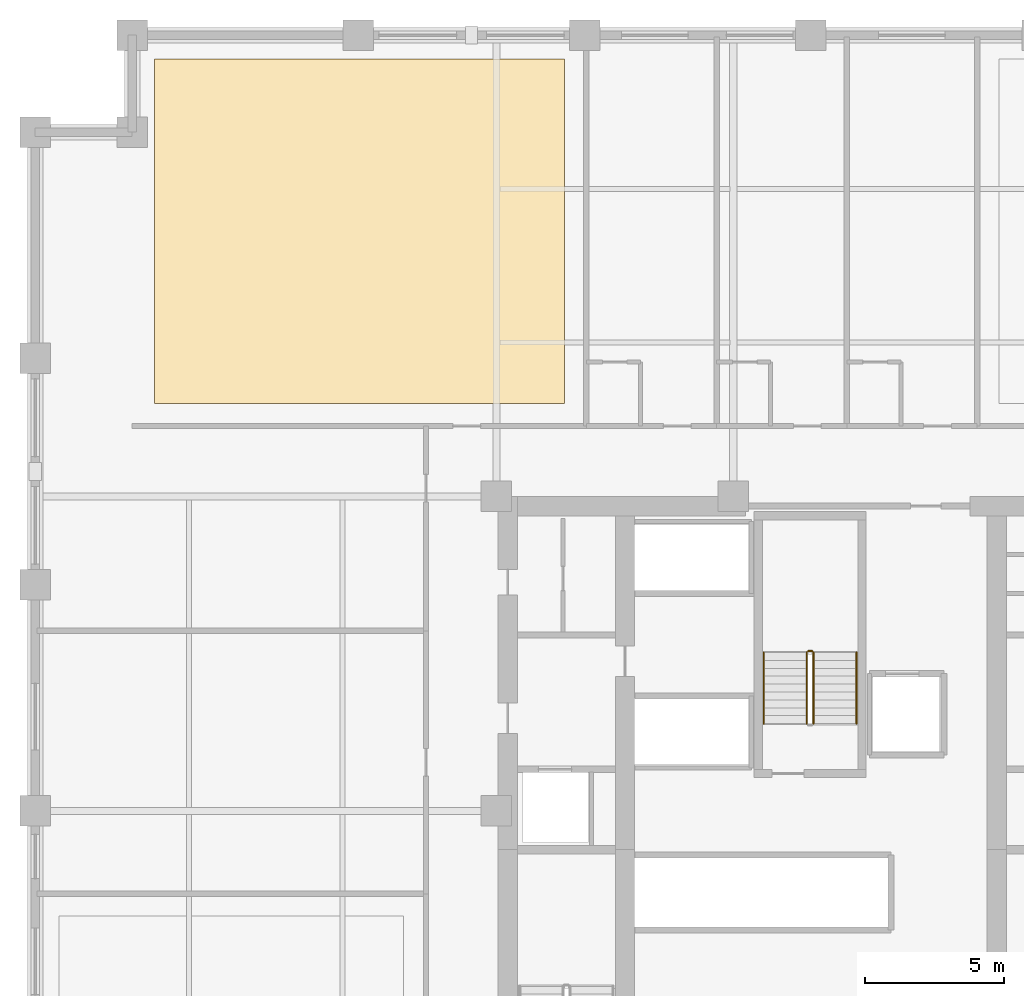
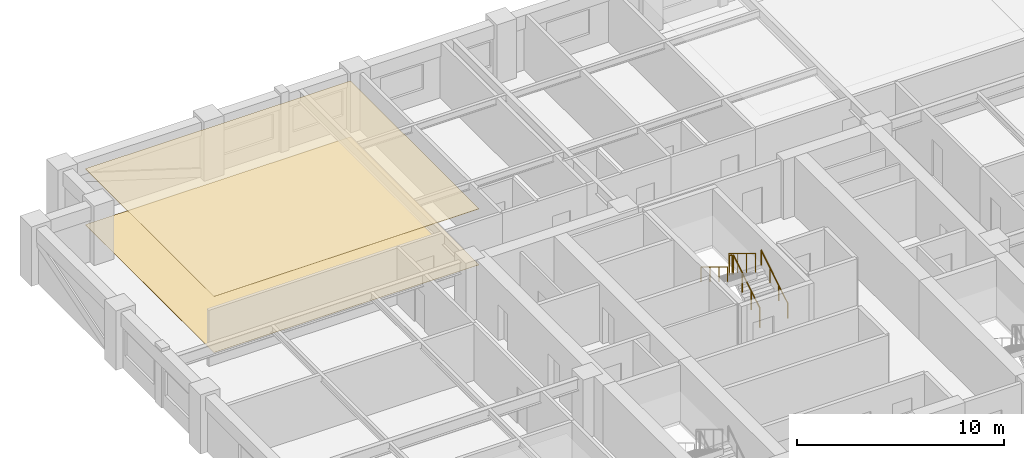
# One storey, part 11 of 12: 5 railings, 2 coverings.
"""IFC4 building model written with IfcOpenShell, lengths in metres."""

from ifc_helpers import new_model, si_unit, direction, frame, origin, origin_2d, place, context, subcontext, project, spatial, polyline, circle, outline, extrude, material, layer, layer_set, type_object, element, save


model = new_model("IFC4")

# Units and contexts
model_context = context("Model", 3, precision=1e-05, world=origin(), true_north=direction((0.0, 1.0)))
body_context = subcontext(model_context, "Body", "Model", "MODEL_VIEW")
ifc_project = project(units=[si_unit("LENGTHUNIT", "METRE"), si_unit("AREAUNIT", "SQUARE_METRE"), si_unit("VOLUMEUNIT", "CUBIC_METRE"), si_unit("PLANEANGLEUNIT", "RADIAN"), si_unit("MASSUNIT", "GRAM", prefix="KILO")], contexts=[model_context])

# Site, building, storey
site_placement = place(None, origin())
site = spatial("IfcSite", under=ifc_project, at=site_placement, CompositionType="ELEMENT")
building_placement = place(site_placement, origin())
building = spatial("IfcBuilding", under=site, at=building_placement, Name="Nhamokura Convention Tower", CompositionType="ELEMENT")
storey_placement = place(building_placement, frame((0.0, 0.0, 49.35009765625)))
storey = spatial("IfcBuildingStorey", under=building, at=storey_placement, Name="L10", CompositionType="ELEMENT", Elevation=49.35009765625)

# Covering
ifc_material_1 = material(Name="Mineral-fibre acoustic ceiling tile", Category="gypsum")
ifc_layer_1 = layer(ifc_material_1, 0.02490234375)
ifc_layer_set_1 = layer_set([ifc_layer_1], Name="AcousticTileCeiling_25")
covering_type_1 = type_object("IfcCoveringType", Name="AcousticTileCeiling_25", PredefinedType="CEILING", material=ifc_layer_set_1)
covering_1_placement = place(storey_placement, frame((0.0, 0.0, 3.294921875)))
element("IfcCovering", 1, at=covering_1_placement, inside=storey, type_object=covering_type_1, Name="L10 Suspended Ceiling 04", PredefinedType="CEILING", context=body_context, shape_type="SweptSolid", body=[
    extrude(outline(polyline([(8.300048828125, 46.699951171875), (23.10009765625, 46.699951171875), (23.10009765625, 59.139892578125), (8.300048828125, 59.139892578125), (8.300048828125, 46.699951171875)])), origin(), (0.0, 0.0, 1.0), 0.02490234375),
])

# Railings
ifc_material_2 = material(Name="Anodised bronze stainless steel", Category="steel")
railing_type_1 = type_object("IfcRailingType", Name="StairWallHandrail_900", PredefinedType="HANDRAIL", material=ifc_material_2)
railing_1_placement = place(storey_placement, frame((33.64990234375, 35.14990234375, 0.1748046875)))
element("IfcRailing", 2, at=railing_1_placement, inside=storey, type_object=railing_type_1, Name="L10 ST-03 stair handrail 1", PredefinedType="HANDRAIL", context=body_context, shape_type="SweptSolid", body=[
    extrude(circle(Radius=0.02392578125, at=origin_2d()), frame((0.0, 0.0, 0.8759765625), z_axis=(0.0, 0.852159170481, 0.523282665646), x_axis=(-1.0, 0.0, 0.0)), (0.0, 0.0, 1.0), 3.01025390625),
    extrude(circle(Radius=0.02099609375, at=origin_2d()), origin(), (0.0, 0.0, 1.0), 0.851806640625),
    extrude(circle(Radius=0.02099609375, at=origin_2d()), frame((0.0, 0.85498046875, 0.525146484375)), (0.0, 0.0, 1.0), 0.851806640625),
    extrude(circle(Radius=0.02099609375, at=origin_2d()), frame((0.0, 1.710205078125, 1.050048828125)), (0.0, 0.0, 1.0), 0.851806640625),
    extrude(circle(Radius=0.02099609375, at=origin_2d()), frame((0.0, 2.565185546875, 1.5751953125)), (0.0, 0.0, 1.0), 0.851806640625),
])
railing_2_placement = place(storey_placement, frame((30.300048828125, 37.715087890625, 1.9248046875)))
element("IfcRailing", 3, at=railing_2_placement, inside=storey, type_object=railing_type_1, Name="L10 ST-03 stair handrail 2", PredefinedType="HANDRAIL", context=body_context, shape_type="SweptSolid", body=[
    extrude(circle(Radius=0.02392578125, at=origin_2d()), frame((0.0, 0.0, 0.8759765625), z_axis=(0.0, -0.852159170481, 0.523282665646), x_axis=(1.0, 0.0, 0.0)), (0.0, 0.0, 1.0), 3.01025390625),
    extrude(circle(Radius=0.02099609375, at=origin_2d()), origin(), (0.0, 0.0, 1.0), 0.851806640625),
    extrude(circle(Radius=0.02099609375, at=origin_2d()), frame((0.0, -0.85498046875, 0.525146484375)), (0.0, 0.0, 1.0), 0.851806640625),
    extrude(circle(Radius=0.02099609375, at=origin_2d()), frame((0.0, -1.710205078125, 1.050048828125)), (0.0, 0.0, 1.0), 0.851806640625),
    extrude(circle(Radius=0.02099609375, at=origin_2d()), frame((0.0, -2.565185546875, 1.5751953125)), (0.0, 0.0, 1.0), 0.851806640625),
])
ifc_material_3 = material(Name="Painted tubular steel", Category="steel")
railing_type_2 = type_object("IfcRailingType", Name="StairWellGuardrail_1150", PredefinedType="GUARDRAIL", material=ifc_material_3)
railing_3_placement = place(storey_placement, frame((32.10009765625, 35.14990234375, 0.1748046875)))
element("IfcRailing", 4, at=railing_3_placement, inside=storey, type_object=railing_type_2, Name="L10 ST-03 stair guard 1", PredefinedType="GUARDRAIL", context=body_context, shape_type="SweptSolid", body=[
    extrude(circle(Radius=0.02392578125, at=origin_2d()), frame((0.0, 0.0, 1.1259765625), z_axis=(0.0, 0.852159170481, 0.523282665646), x_axis=(-1.0, 0.0, 0.0)), (0.0, 0.0, 1.0), 3.01025390625),
    extrude(circle(Radius=0.02099609375, at=origin_2d()), origin(), (0.0, 0.0, 1.0), 1.101806640625),
    extrude(circle(Radius=0.02099609375, at=origin_2d()), frame((0.0, 0.85498046875, 0.525146484375)), (0.0, 0.0, 1.0), 1.101806640625),
    extrude(circle(Radius=0.02099609375, at=origin_2d()), frame((0.0, 1.710205078125, 1.050048828125)), (0.0, 0.0, 1.0), 1.101806640625),
    extrude(circle(Radius=0.02099609375, at=origin_2d()), frame((0.0, 2.565185546875, 1.5751953125)), (0.0, 0.0, 1.0), 1.101806640625),
])
railing_4_placement = place(storey_placement, frame((32.050048828125, 37.764892578125, 1.75)))
element("IfcRailing", 5, at=railing_4_placement, inside=storey, type_object=railing_type_2, Name="L10 ST-03 stair guard 2", PredefinedType="GUARDRAIL", context=body_context, shape_type="SweptSolid", body=[
    extrude(circle(Radius=0.02392578125, at=origin_2d()), frame((0.0, 0.0, 1.1259765625), z_axis=(-1.0, 0.0, 0.0), x_axis=(0.0, -1.0, 0.0)), (0.0, 0.0, 1.0), 0.150146484375),
    extrude(circle(Radius=0.02099609375, at=origin_2d()), origin(), (0.0, 0.0, 1.0), 1.101806640625),
    extrude(circle(Radius=0.02099609375, at=origin_2d()), frame((-0.150146484375, 0.0, 0.0)), (0.0, 0.0, 1.0), 1.101806640625),
])
railing_5_placement = place(storey_placement, frame((31.85009765625, 37.715087890625, 1.9248046875)))
element("IfcRailing", 6, at=railing_5_placement, inside=storey, type_object=railing_type_2, Name="L10 ST-03 stair guard 3", PredefinedType="GUARDRAIL", context=body_context, shape_type="SweptSolid", body=[
    extrude(circle(Radius=0.02392578125, at=origin_2d()), frame((0.0, 0.0, 1.1259765625), z_axis=(0.0, -0.852159170481, 0.523282665646), x_axis=(1.0, 0.0, 0.0)), (0.0, 0.0, 1.0), 3.01025390625),
    extrude(circle(Radius=0.02099609375, at=origin_2d()), origin(), (0.0, 0.0, 1.0), 1.101806640625),
    extrude(circle(Radius=0.02099609375, at=origin_2d()), frame((0.0, -0.85498046875, 0.525146484375)), (0.0, 0.0, 1.0), 1.101806640625),
    extrude(circle(Radius=0.02099609375, at=origin_2d()), frame((0.0, -1.710205078125, 1.050048828125)), (0.0, 0.0, 1.0), 1.101806640625),
    extrude(circle(Radius=0.02099609375, at=origin_2d()), frame((0.0, -2.565185546875, 1.5751953125)), (0.0, 0.0, 1.0), 1.101806640625),
])

# Covering
ifc_material_4 = material(Name="Acoustic woven hospitality carpet", Category="wood")
ifc_layer_2 = layer(ifc_material_4, 0.014892578125)
ifc_layer_set_2 = layer_set([ifc_layer_2], Name="WovenCarpetFlooring_15")
covering_type_2 = type_object("IfcCoveringType", Name="WovenCarpetFlooring_15", PredefinedType="FLOORING", material=ifc_layer_set_2)
covering_2_placement = place(storey_placement, origin())
element("IfcCovering", 7, at=covering_2_placement, inside=storey, type_object=covering_type_2, Name="L10 Finish Flooring 04", PredefinedType="FLOORING", context=body_context, shape_type="SweptSolid", body=[
    extrude(outline(polyline([(8.300048828125, 46.699951171875), (23.10009765625, 46.699951171875), (23.10009765625, 59.139892578125), (8.300048828125, 59.139892578125), (8.300048828125, 46.699951171875)])), origin(), (0.0, 0.0, 1.0), 0.014892578125),
])

save(model, "model.ifc")
